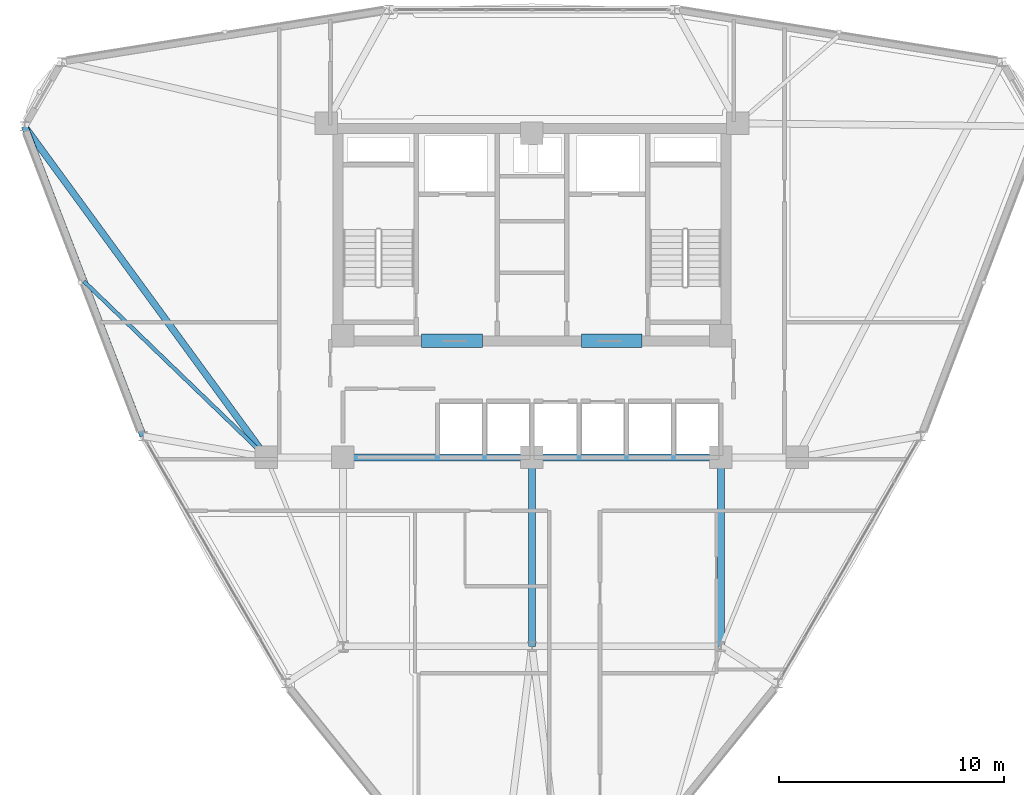
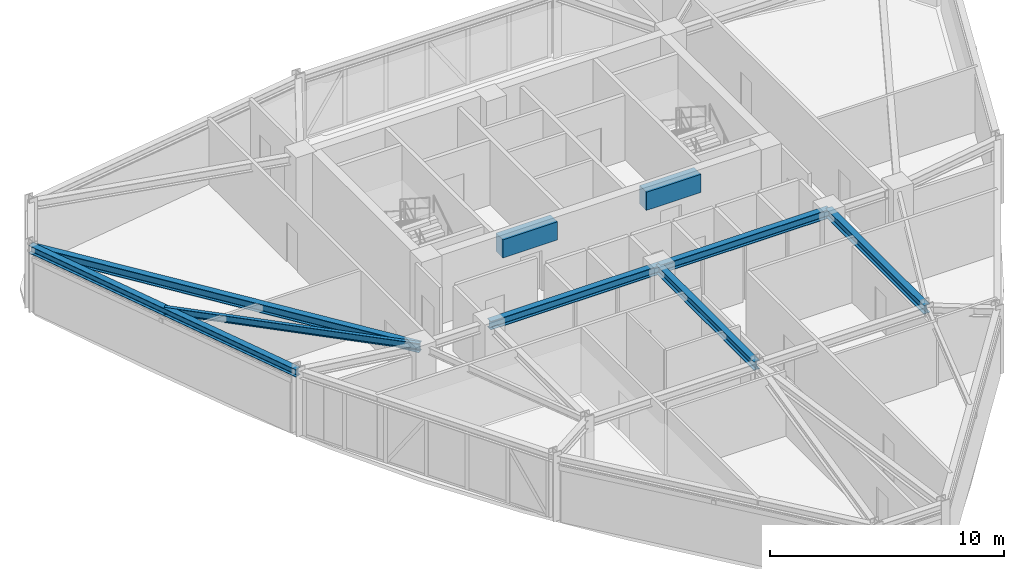
# One storey, part 5 of 14: 9 beams.
"""IFC4 building model written with IfcOpenShell, lengths in metres."""

from ifc_helpers import new_model, si_unit, derived_unit, direction, frame, origin, origin_2d, place, context, subcontext, project, spatial, rectangle, i_section, extrude, source, transform, mapped, material, material_profile, profile_set, type_object, element, save


model = new_model("IFC4")

# Units and contexts
model_context = context("Model", 3, precision=1e-05, world=origin(), true_north=direction((0.0, 1.0)))
body_context = subcontext(model_context, "Body", "Model", "MODEL_VIEW")
ifc_project = project(units=[si_unit("LENGTHUNIT", "METRE"), si_unit("AREAUNIT", "SQUARE_METRE"), si_unit("VOLUMEUNIT", "CUBIC_METRE"), si_unit("PLANEANGLEUNIT", "RADIAN"), si_unit("MASSUNIT", "GRAM", prefix="KILO"), derived_unit("THERMALTRANSMITTANCEUNIT", [(si_unit("POWERUNIT", "WATT"), 1), (si_unit("LENGTHUNIT", "METRE"), -2), (si_unit("THERMODYNAMICTEMPERATUREUNIT", "KELVIN"), -1)])], contexts=[model_context])

# Site, building, storey
site_placement = place(None, origin())
site = spatial("IfcSite", under=ifc_project, at=site_placement, CompositionType="ELEMENT")
building_placement = place(site_placement, origin())
building = spatial("IfcBuilding", under=site, at=building_placement, Name="Korsvarv Bourse and Concert Hall", CompositionType="ELEMENT")
storey_placement = place(building_placement, frame((0.0, 0.0, 172.199951171875)))
storey = spatial("IfcBuildingStorey", under=building, at=storey_placement, Name="L44", CompositionType="ELEMENT", Elevation=172.199951171875)

# Beams
ifc_material_1 = material(Name="Concrete C55/67", Category="concrete")
ifc_material_profile_1 = material_profile(ifc_material_1, rectangle(XDim=0.60009765625, YDim=0.949951171875, at=origin_2d()), Name="RC-BM 600x950")
ifc_profile_set_1 = profile_set([ifc_material_profile_1], Name="Concrete C55/67")
beam_type_1 = type_object("IfcBeamType", Name="BM-CPL", PredefinedType="LINTEL", material=ifc_profile_set_1)
shared_shape_1 = source(origin(), body_context, "Body", "SweptSolid", [
    extrude(rectangle(XDim=0.60009765625, YDim=0.949951171875, at=origin_2d()), origin(), (0.0, 0.0, 1.0), 2.699951171875),
])
for number, where, z_axis, x_axis, name in (
    (1, (31.10009765625, 37.574951171875, 2.925048828125), (1.0, 0.0, 0.0), (0.0, 1.0, 0.0), "L44 Core Coupling Beam West"),
    (2, (38.199951171875, 37.574951171875, 2.925048828125), (1.0, 0.0, 0.0), (0.0, 1.0, 0.0), "L44 Core Coupling Beam East"),
):
    element("IfcBeam", number, at=place(storey_placement, frame(where, z_axis=z_axis, x_axis=x_axis)), inside=storey, type_object=beam_type_1, Name=name, PredefinedType="LINTEL", context=body_context, shape_type="MappedRepresentation", body=[
        mapped(shared_shape_1, transform((0.0, 0.0, 0.0), scale=1.0)),
    ])
ifc_material_2 = material(Name="Steel S355", Category="steel")
ifc_material_profile_2 = material_profile(ifc_material_2, i_section(OverallWidth=0.300048828125, OverallDepth=0.449951171875, WebThickness=0.013916015625, FlangeThickness=0.02587890625, FilletRadius=0.02099609375, at=origin_2d()), Name="HEB 450")
ifc_profile_set_2 = profile_set([ifc_material_profile_2], Name="Steel S355")
beam_type_2 = type_object("IfcBeamType", Name="BM-HEB450", PredefinedType="SPANDREL", material=ifc_profile_set_2)
shared_shape_2 = source(origin(), body_context, "Body", "SweptSolid", [
    extrude(i_section(OverallWidth=0.300048828125, OverallDepth=0.449951171875, WebThickness=0.013916015625, FlangeThickness=0.02587890625, FilletRadius=0.02099609375, at=origin_2d()), origin(), (0.0, 0.0, 1.0), 8.39990234375),
])
for number, where, z_axis, x_axis, name in (
    (3, (27.60009765625, 32.39990234375, 3.175048828125), (1.0, 0.0, 0.0), (0.0, 1.0, 0.0), "L44 beam B-08"),
    (4, (36.0, 32.39990234375, 3.175048828125), (1.0, 0.0, 0.0), (0.0, 1.0, 0.0), "L44 beam B-08"),
    (5, (36.0, 24.0, 3.175048828125), (0.0, 1.0, 0.0), (-1.0, 0.0, 0.0), "L44 beam B-08"),
    (6, (44.39990234375, 24.0, 3.175048828125), (0.0, 1.0, 0.0), (-1.0, 0.0, 0.0), "L44 beam B-08"),
):
    element("IfcBeam", number, at=place(storey_placement, frame(where, z_axis=z_axis, x_axis=x_axis)), inside=storey, type_object=beam_type_2, Name=name, PredefinedType="SPANDREL", context=body_context, shape_type="MappedRepresentation", body=[
        mapped(shared_shape_2, transform((0.0, 0.0, 0.0), scale=1.0)),
    ])
shared_shape_3 = source(origin(), body_context, "Body", "SweptSolid", [
    extrude(i_section(OverallWidth=0.300048828125, OverallDepth=0.449951171875, WebThickness=0.013916015625, FlangeThickness=0.02587890625, FilletRadius=0.02099609375, at=origin_2d()), origin(), (0.0, 0.0, 1.0), 18.225341796875),
])
beam_1_placement = place(storey_placement, frame((13.446044921875, 47.114501953125, 3.175048828125), z_axis=(0.590049838891, -0.807366823461, 0.0), x_axis=(0.807366823461, 0.590049838891, 0.0)))
element("IfcBeam", 7, at=beam_1_placement, inside=storey, type_object=beam_type_2, Name="L44 beam B-08", PredefinedType="SPANDREL", context=body_context, shape_type="MappedRepresentation", body=[
    mapped(shared_shape_3, transform((0.0, 0.0, 0.0), scale=1.0)),
])
ifc_material_profile_3 = material_profile(ifc_material_2, i_section(OverallWidth=0.300048828125, OverallDepth=0.389892578125, WebThickness=0.010986328125, FlangeThickness=0.01904296875, FilletRadius=0.02099609375, at=origin_2d()), Name="HEA 400")
ifc_profile_set_3 = profile_set([ifc_material_profile_3], Name="Steel S355")
beam_type_3 = type_object("IfcBeamType", Name="BM-HEA400", PredefinedType="BEAM", material=ifc_profile_set_3)
shared_shape_4 = source(origin(), body_context, "Body", "SweptSolid", [
    extrude(i_section(OverallWidth=0.300048828125, OverallDepth=0.389892578125, WebThickness=0.010986328125, FlangeThickness=0.01904296875, FilletRadius=0.02099609375, at=origin_2d()), origin(), (0.0, 0.0, 1.0), 14.740234375),
])
beam_2_placement = place(storey_placement, frame((13.446044921875, 47.114501953125, 3.205078125), z_axis=(0.357410307227, -0.933947467627, 0.0), x_axis=(0.933947467627, 0.357410307227, 0.0)))
element("IfcBeam", 8, at=beam_2_placement, inside=storey, type_object=beam_type_3, Name="L44 beam B-11", PredefinedType="BEAM", context=body_context, shape_type="MappedRepresentation", body=[
    mapped(shared_shape_4, transform((0.0, 0.0, 0.0), scale=1.0)),
])
ifc_material_profile_4 = material_profile(ifc_material_2, i_section(OverallWidth=0.169921875, OverallDepth=0.360107421875, WebThickness=0.008056640625, FlangeThickness=0.0126953125, FilletRadius=0.01806640625, at=origin_2d()), Name="IPE 360")
ifc_profile_set_4 = profile_set([ifc_material_profile_4], Name="Steel S355")
beam_type_4 = type_object("IfcBeamType", Name="BM-IPE360", PredefinedType="JOIST", material=ifc_profile_set_4)
shared_shape_5 = source(origin(), body_context, "Body", "SweptSolid", [
    extrude(i_section(OverallWidth=0.169921875, OverallDepth=0.360107421875, WebThickness=0.008056640625, FlangeThickness=0.0126953125, FilletRadius=0.01806640625, at=origin_2d()), origin(), (0.0, 0.0, 1.0), 11.281005859375),
])
beam_3_placement = place(storey_placement, frame((16.080078125, 40.231201171875, 3.219970703125), z_axis=(0.719781341286, -0.694200850429, 0.0), x_axis=(0.694200850429, 0.719781341286, 0.0)))
element("IfcBeam", 9, at=beam_3_placement, inside=storey, type_object=beam_type_4, Name="L44 beam J-06", PredefinedType="JOIST", context=body_context, shape_type="MappedRepresentation", body=[
    mapped(shared_shape_5, transform((0.0, 0.0, 0.0), scale=1.0)),
])

save(model, "model.ifc")
